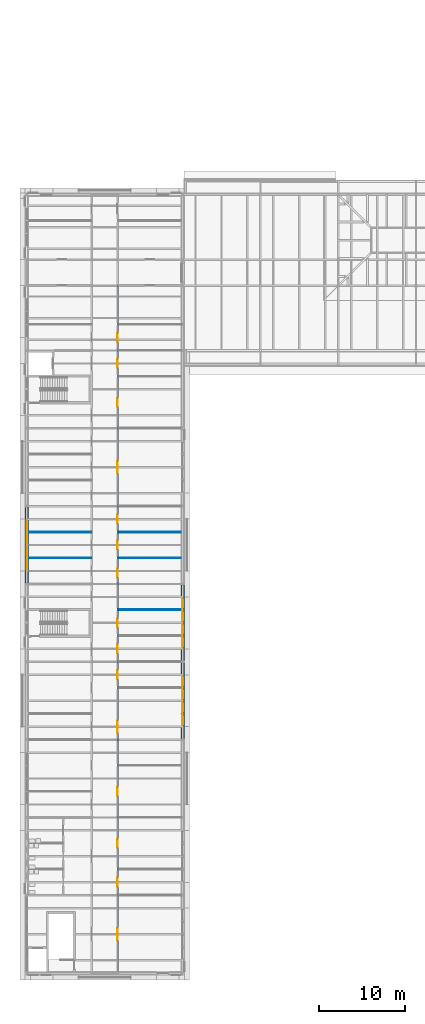
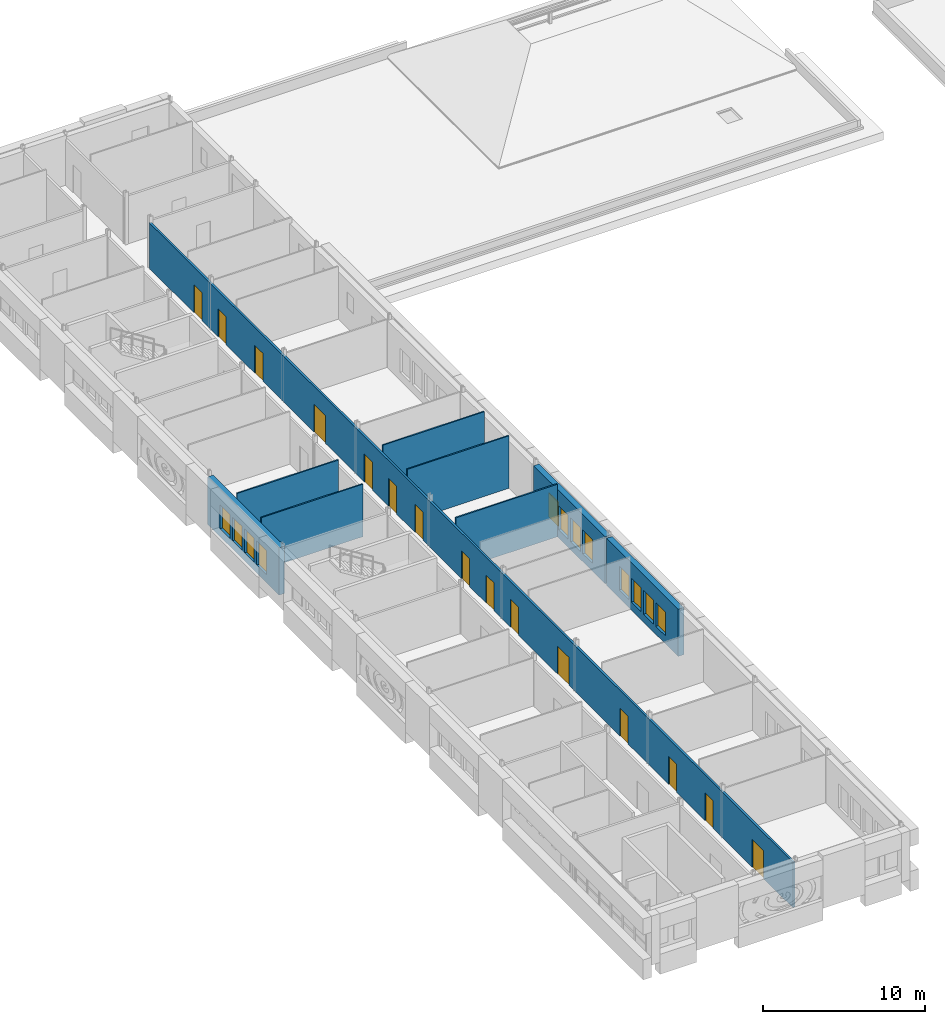
# One storey, part 27 of 42: 15 doors, 12 windows, 9 walls, 27 openings.
"""IFC4 building model written with IfcOpenShell, lengths in metres."""

from ifc_helpers import new_model, si_unit, direction, frame, frame_2d, origin, place, context, subcontext, project, spatial, rectangle, extrude, material, layer, layer_set, type_object, element, fill, save


model = new_model("IFC4")

# Units and contexts
model_context = context("Model", 3, precision=1e-05, world=origin(), true_north=direction((0.0, 1.0)))
body_context = subcontext(model_context, "Body", "Model", "MODEL_VIEW")
ifc_project = project(units=[si_unit("LENGTHUNIT", "METRE"), si_unit("AREAUNIT", "SQUARE_METRE"), si_unit("VOLUMEUNIT", "CUBIC_METRE"), si_unit("PLANEANGLEUNIT", "RADIAN"), si_unit("MASSUNIT", "GRAM", prefix="KILO")], contexts=[model_context])

# Site, building, storey
site_placement = place(None, origin())
site = spatial("IfcSite", under=ifc_project, at=site_placement, CompositionType="ELEMENT")
building_placement = place(site_placement, origin())
building = spatial("IfcBuilding", under=site, at=building_placement, Name="Golden Quay Civic Hall", CompositionType="ELEMENT")
storey_placement = place(building_placement, frame((0.0, 0.0, 22.800048828125)))
storey = spatial("IfcBuildingStorey", under=building, at=storey_placement, Name="L05", CompositionType="ELEMENT", Elevation=22.800048828125)

# Walls
ifc_material_1 = material(Name="Plasterboard on steel studs", Category="steel")
ifc_layer_1 = layer(ifc_material_1, 0.10009765625)
ifc_layer_set_1 = layer_set([ifc_layer_1], Name="Partition 100 stud")
wall_type_1 = type_object("IfcWallType", Name="Partition 100 stud", PredefinedType="PARTITIONING", material=ifc_layer_set_1)
for number, where, z_axis, x_axis, name in (
    (1, (0.199951171875, 39.0, 0.0), (0.0, 0.0, 1.0), (1.0, 0.0, 0.0), "Partition L05-006"),
    (2, (0.199951171875, 42.0, 0.0), (0.0, 0.0, 1.0), (1.0, 0.0, 0.0), "Partition L05-007"),
    (3, (10.574951171875, 33.0, 0.0), (0.0, 0.0, 1.0), (1.0, 0.0, 0.0), "Partition L05-018"),
    (4, (10.574951171875, 39.0, 0.0), (0.0, 0.0, 1.0), (1.0, 0.0, 0.0), "Partition L05-019"),
    (5, (10.574951171875, 42.0, 0.0), (0.0, 0.0, 1.0), (1.0, 0.0, 0.0), "Partition L05-020"),
):
    element("IfcWall", number, at=place(storey_placement, frame(where, z_axis=z_axis, x_axis=x_axis)), inside=storey, type_object=wall_type_1, Name=name, PredefinedType="PARTITIONING", context=body_context, shape_type="SweptSolid", body=[
        extrude(rectangle(XDim=7.22509765625, YDim=0.10009765625, at=frame_2d((3.612548828125, 0.0))), origin(), (0.0, 0.0, 1.0), 3.949951171875),
    ])

# Wall, openings, doors
ifc_material_2 = material(Name="Plasterboard on steel studs", Category="steel")
ifc_layer_2 = layer(ifc_material_2, 0.14990234375)
ifc_layer_set_2 = layer_set([ifc_layer_2], Name="Partition 150 stud fire EI 60")
wall_type_2 = type_object("IfcWallType", Name="Partition 150 stud fire EI 60", PredefinedType="PARTITIONING", material=ifc_layer_set_2)
wall_1_placement = place(storey_placement, frame((10.5, -8.800048828125, 0.0), z_axis=(0.0, 0.0, 1.0), x_axis=(0.0, 1.0, 0.0)))
wall_1 = element("IfcWall", 6, at=wall_1_placement, inside=storey, type_object=wall_type_2, Name="Partition L05-028", PredefinedType="PARTITIONING", context=body_context, shape_type="SweptSolid", body=[
    extrude(rectangle(XDim=79.300048828125, YDim=0.14990234375, at=frame_2d((39.64990234375, 0.0))), origin(), (0.0, 0.0, 1.0), 3.429931640625),
])
opening_1_placement = place(wall_1_placement, frame((3.60009765625, 0.0, 0.0)))
opening_1 = element("IfcOpeningElement", 7, at=opening_1_placement, cuts=wall_1, Name="Opening L05-D010", PredefinedType="OPENING", context=body_context, shape_type="SweptSolid", body=[
    extrude(rectangle(XDim=1.39990234375, YDim=2.10009765625, at=frame_2d((0.699951171875, 1.050048828125))), frame((0.0, 0.0849609375, 0.0), z_axis=(0.0, -1.0, 0.0), x_axis=(1.0, 0.0, 0.0)), (0.0, 0.0, 1.0), 0.169921875),
])
opening_2_placement = place(wall_1_placement, frame((9.800048828125, 0.0, 0.0)))
opening_2 = element("IfcOpeningElement", 8, at=opening_2_placement, cuts=wall_1, Name="Opening L05-D011", PredefinedType="OPENING", context=body_context, shape_type="SweptSolid", body=[
    extrude(rectangle(XDim=1.0, YDim=2.10009765625, at=frame_2d((0.5, 1.050048828125))), frame((0.0, 0.0849609375, 0.0), z_axis=(0.0, -1.0, 0.0), x_axis=(1.0, 0.0, 0.0)), (0.0, 0.0, 1.0), 0.169921875),
])
opening_3_placement = place(wall_1_placement, frame((14.300048828125, 0.0, 0.0)))
opening_3 = element("IfcOpeningElement", 9, at=opening_3_placement, cuts=wall_1, Name="Opening L05-D012", PredefinedType="OPENING", context=body_context, shape_type="SweptSolid", body=[
    extrude(rectangle(XDim=1.0, YDim=2.10009765625, at=frame_2d((0.5, 1.050048828125))), frame((0.0, 0.0849609375, 0.0), z_axis=(0.0, -1.0, 0.0), x_axis=(1.0, 0.0, 0.0)), (0.0, 0.0, 1.0), 0.169921875),
])
opening_4_placement = place(wall_1_placement, frame((20.300048828125, 0.0, 0.0)))
opening_4 = element("IfcOpeningElement", 10, at=opening_4_placement, cuts=wall_1, Name="Opening L05-D013", PredefinedType="OPENING", context=body_context, shape_type="SweptSolid", body=[
    extrude(rectangle(XDim=1.0, YDim=2.10009765625, at=frame_2d((0.5, 1.050048828125))), frame((0.0, 0.0849609375, 0.0), z_axis=(0.0, -1.0, 0.0), x_axis=(1.0, 0.0, 0.0)), (0.0, 0.0, 1.0), 0.169921875),
])
opening_5_placement = place(wall_1_placement, frame((27.60009765625, 0.0, 0.0)))
opening_5 = element("IfcOpeningElement", 11, at=opening_5_placement, cuts=wall_1, Name="Opening L05-D014", PredefinedType="OPENING", context=body_context, shape_type="SweptSolid", body=[
    extrude(rectangle(XDim=1.39990234375, YDim=2.10009765625, at=frame_2d((0.699951171875, 1.050048828125))), frame((0.0, 0.0849609375, 0.0), z_axis=(0.0, -1.0, 0.0), x_axis=(1.0, 0.0, 0.0)), (0.0, 0.0, 1.0), 0.169921875),
])
opening_6_placement = place(wall_1_placement, frame((33.800048828125, 0.0, 0.0)))
opening_6 = element("IfcOpeningElement", 12, at=opening_6_placement, cuts=wall_1, Name="Opening L05-D015", PredefinedType="OPENING", context=body_context, shape_type="SweptSolid", body=[
    extrude(rectangle(XDim=1.0, YDim=2.10009765625, at=frame_2d((0.5, 1.050048828125))), frame((0.0, 0.0849609375, 0.0), z_axis=(0.0, -1.0, 0.0), x_axis=(1.0, 0.0, 0.0)), (0.0, 0.0, 1.0), 0.169921875),
])
opening_7_placement = place(wall_1_placement, frame((36.800048828125, 0.0, 0.0)))
opening_7 = element("IfcOpeningElement", 13, at=opening_7_placement, cuts=wall_1, Name="Opening L05-D016", PredefinedType="OPENING", context=body_context, shape_type="SweptSolid", body=[
    extrude(rectangle(XDim=1.0, YDim=2.10009765625, at=frame_2d((0.5, 1.050048828125))), frame((0.0, 0.0849609375, 0.0), z_axis=(0.0, -1.0, 0.0), x_axis=(1.0, 0.0, 0.0)), (0.0, 0.0, 1.0), 0.169921875),
])
opening_8_placement = place(wall_1_placement, frame((39.800048828125, 0.0, 0.0)))
opening_8 = element("IfcOpeningElement", 14, at=opening_8_placement, cuts=wall_1, Name="Opening L05-D017", PredefinedType="OPENING", context=body_context, shape_type="SweptSolid", body=[
    extrude(rectangle(XDim=1.0, YDim=2.10009765625, at=frame_2d((0.5, 1.050048828125))), frame((0.0, 0.0849609375, 0.0), z_axis=(0.0, -1.0, 0.0), x_axis=(1.0, 0.0, 0.0)), (0.0, 0.0, 1.0), 0.169921875),
])
opening_9_placement = place(wall_1_placement, frame((45.550048828125, 0.0, 0.0)))
opening_9 = element("IfcOpeningElement", 15, at=opening_9_placement, cuts=wall_1, Name="Opening L05-D018", PredefinedType="OPENING", context=body_context, shape_type="SweptSolid", body=[
    extrude(rectangle(XDim=1.0, YDim=2.10009765625, at=frame_2d((0.5, 1.050048828125))), frame((0.0, 0.0849609375, 0.0), z_axis=(0.0, -1.0, 0.0), x_axis=(1.0, 0.0, 0.0)), (0.0, 0.0, 1.0), 0.169921875),
])
opening_10_placement = place(wall_1_placement, frame((48.800048828125, 0.0, 0.0)))
opening_10 = element("IfcOpeningElement", 16, at=opening_10_placement, cuts=wall_1, Name="Opening L05-D019", PredefinedType="OPENING", context=body_context, shape_type="SweptSolid", body=[
    extrude(rectangle(XDim=1.0, YDim=2.10009765625, at=frame_2d((0.5, 1.050048828125))), frame((0.0, 0.0849609375, 0.0), z_axis=(0.0, -1.0, 0.0), x_axis=(1.0, 0.0, 0.0)), (0.0, 0.0, 1.0), 0.169921875),
])
opening_11_placement = place(wall_1_placement, frame((51.800048828125, 0.0, 0.0)))
opening_11 = element("IfcOpeningElement", 17, at=opening_11_placement, cuts=wall_1, Name="Opening L05-D020", PredefinedType="OPENING", context=body_context, shape_type="SweptSolid", body=[
    extrude(rectangle(XDim=1.0, YDim=2.10009765625, at=frame_2d((0.5, 1.050048828125))), frame((0.0, 0.0849609375, 0.0), z_axis=(0.0, -1.0, 0.0), x_axis=(1.0, 0.0, 0.0)), (0.0, 0.0, 1.0), 0.169921875),
])
opening_12_placement = place(wall_1_placement, frame((57.60009765625, 0.0, 0.0)))
opening_12 = element("IfcOpeningElement", 18, at=opening_12_placement, cuts=wall_1, Name="Opening L05-D021", PredefinedType="OPENING", context=body_context, shape_type="SweptSolid", body=[
    extrude(rectangle(XDim=1.39990234375, YDim=2.10009765625, at=frame_2d((0.699951171875, 1.050048828125))), frame((0.0, 0.0849609375, 0.0), z_axis=(0.0, -1.0, 0.0), x_axis=(1.0, 0.0, 0.0)), (0.0, 0.0, 1.0), 0.169921875),
])
opening_13_placement = place(wall_1_placement, frame((65.300048828125, 0.0, 0.0)))
opening_13 = element("IfcOpeningElement", 19, at=opening_13_placement, cuts=wall_1, Name="Opening L05-D022", PredefinedType="OPENING", context=body_context, shape_type="SweptSolid", body=[
    extrude(rectangle(XDim=1.0, YDim=2.10009765625, at=frame_2d((0.5, 1.050048828125))), frame((0.0, 0.0849609375, 0.0), z_axis=(0.0, -1.0, 0.0), x_axis=(1.0, 0.0, 0.0)), (0.0, 0.0, 1.0), 0.169921875),
])
opening_14_placement = place(wall_1_placement, frame((69.800048828125, 0.0, 0.0)))
opening_14 = element("IfcOpeningElement", 20, at=opening_14_placement, cuts=wall_1, Name="Opening L05-D023", PredefinedType="OPENING", context=body_context, shape_type="SweptSolid", body=[
    extrude(rectangle(XDim=1.0, YDim=2.10009765625, at=frame_2d((0.5, 1.050048828125))), frame((0.0, 0.0849609375, 0.0), z_axis=(0.0, -1.0, 0.0), x_axis=(1.0, 0.0, 0.0)), (0.0, 0.0, 1.0), 0.169921875),
])
opening_15_placement = place(wall_1_placement, frame((72.800048828125, 0.0, 0.0)))
opening_15 = element("IfcOpeningElement", 21, at=opening_15_placement, cuts=wall_1, Name="Opening L05-D038", PredefinedType="OPENING", context=body_context, shape_type="SweptSolid", body=[
    extrude(rectangle(XDim=1.0, YDim=2.10009765625, at=frame_2d((0.5, 1.050048828125))), frame((0.0, 0.0849609375, 0.0), z_axis=(0.0, -1.0, 0.0), x_axis=(1.0, 0.0, 0.0)), (0.0, 0.0, 1.0), 0.169921875),
])
ifc_material_3 = material(Name="Steel", Category="steel")
door_type_1 = type_object("IfcDoorType", Name="Steel double fire door FD30S 1400 x 2100", OperationType="DOUBLE_DOOR_SINGLE_SWING", PredefinedType="DOOR", material=ifc_material_3)
door_1_placement = place(opening_1_placement, frame((1.39990234375, 0.0, 0.0), z_axis=(0.0, 0.0, 1.0), x_axis=(-1.0, 0.0, 0.0)))
door_1 = element("IfcDoor", 22, at=door_1_placement, inside=storey, type_object=door_type_1, Name="Door L05-D010", OperationType="DOUBLE_DOOR_SINGLE_SWING", OverallHeight=2.10009765625, OverallWidth=1.39990234375, PredefinedType="DOOR", context=body_context, shape_type="SweptSolid", body=[
    extrude(rectangle(XDim=1.39990234375, YDim=2.10009765625, at=frame_2d((0.699951171875, 1.050048828125))), frame((0.0, 0.025146484375, 0.0), z_axis=(0.0, -1.0, 0.0), x_axis=(1.0, 0.0, 0.0)), (0.0, 0.0, 1.0), 0.050048828125),
])
fill(opening_1, door_1)
door_2_placement = place(opening_5_placement, frame((1.39990234375, 0.0, 0.0), z_axis=(0.0, 0.0, 1.0), x_axis=(-1.0, 0.0, 0.0)))
door_2 = element("IfcDoor", 23, at=door_2_placement, inside=storey, type_object=door_type_1, Name="Door L05-D014", OperationType="DOUBLE_DOOR_SINGLE_SWING", OverallHeight=2.10009765625, OverallWidth=1.39990234375, PredefinedType="DOOR", context=body_context, shape_type="SweptSolid", body=[
    extrude(rectangle(XDim=1.39990234375, YDim=2.10009765625, at=frame_2d((0.699951171875, 1.050048828125))), frame((0.0, 0.025146484375, 0.0), z_axis=(0.0, -1.0, 0.0), x_axis=(1.0, 0.0, 0.0)), (0.0, 0.0, 1.0), 0.050048828125),
])
fill(opening_5, door_2)
door_3_placement = place(opening_12_placement, frame((1.39990234375, 0.0, 0.0), z_axis=(0.0, 0.0, 1.0), x_axis=(-1.0, 0.0, 0.0)))
door_3 = element("IfcDoor", 24, at=door_3_placement, inside=storey, type_object=door_type_1, Name="Door L05-D021", OperationType="DOUBLE_DOOR_SINGLE_SWING", OverallHeight=2.10009765625, OverallWidth=1.39990234375, PredefinedType="DOOR", context=body_context, shape_type="SweptSolid", body=[
    extrude(rectangle(XDim=1.39990234375, YDim=2.10009765625, at=frame_2d((0.699951171875, 1.050048828125))), frame((0.0, 0.025146484375, 0.0), z_axis=(0.0, -1.0, 0.0), x_axis=(1.0, 0.0, 0.0)), (0.0, 0.0, 1.0), 0.050048828125),
])
fill(opening_12, door_3)
ifc_material_4 = material(Name="Steel", Category="steel")
door_type_2 = type_object("IfcDoorType", Name="Steel fire door FD30S 1000 x 2100", OperationType="SINGLE_SWING_LEFT", PredefinedType="DOOR", material=ifc_material_4)
door_4_placement = place(opening_2_placement, frame((1.0, 0.0, 0.0), z_axis=(0.0, 0.0, 1.0), x_axis=(-1.0, 0.0, 0.0)))
door_4 = element("IfcDoor", 25, at=door_4_placement, inside=storey, type_object=door_type_2, Name="Door L05-D011", OperationType="SINGLE_SWING_RIGHT", OverallHeight=2.10009765625, OverallWidth=1.0, PredefinedType="DOOR", context=body_context, shape_type="SweptSolid", body=[
    extrude(rectangle(XDim=1.0, YDim=2.10009765625, at=frame_2d((0.5, 1.050048828125))), frame((0.0, 0.025146484375, 0.0), z_axis=(0.0, -1.0, 0.0), x_axis=(1.0, 0.0, 0.0)), (0.0, 0.0, 1.0), 0.050048828125),
])
fill(opening_2, door_4)
door_5_placement = place(opening_3_placement, frame((1.0, 0.0, 0.0), z_axis=(0.0, 0.0, 1.0), x_axis=(-1.0, 0.0, 0.0)))
door_5 = element("IfcDoor", 26, at=door_5_placement, inside=storey, type_object=door_type_2, Name="Door L05-D012", OperationType="SINGLE_SWING_RIGHT", OverallHeight=2.10009765625, OverallWidth=1.0, PredefinedType="DOOR", context=body_context, shape_type="SweptSolid", body=[
    extrude(rectangle(XDim=1.0, YDim=2.10009765625, at=frame_2d((0.5, 1.050048828125))), frame((0.0, 0.025146484375, 0.0), z_axis=(0.0, -1.0, 0.0), x_axis=(1.0, 0.0, 0.0)), (0.0, 0.0, 1.0), 0.050048828125),
])
fill(opening_3, door_5)
door_6_placement = place(opening_4_placement, frame((1.0, 0.0, 0.0), z_axis=(0.0, 0.0, 1.0), x_axis=(-1.0, 0.0, 0.0)))
door_6 = element("IfcDoor", 27, at=door_6_placement, inside=storey, type_object=door_type_2, Name="Door L05-D013", OperationType="SINGLE_SWING_RIGHT", OverallHeight=2.10009765625, OverallWidth=1.0, PredefinedType="DOOR", context=body_context, shape_type="SweptSolid", body=[
    extrude(rectangle(XDim=1.0, YDim=2.10009765625, at=frame_2d((0.5, 1.050048828125))), frame((0.0, 0.025146484375, 0.0), z_axis=(0.0, -1.0, 0.0), x_axis=(1.0, 0.0, 0.0)), (0.0, 0.0, 1.0), 0.050048828125),
])
fill(opening_4, door_6)
door_7_placement = place(opening_6_placement, frame((1.0, 0.0, 0.0), z_axis=(0.0, 0.0, 1.0), x_axis=(-1.0, 0.0, 0.0)))
door_7 = element("IfcDoor", 28, at=door_7_placement, inside=storey, type_object=door_type_2, Name="Door L05-D015", OperationType="SINGLE_SWING_RIGHT", OverallHeight=2.10009765625, OverallWidth=1.0, PredefinedType="DOOR", context=body_context, shape_type="SweptSolid", body=[
    extrude(rectangle(XDim=1.0, YDim=2.10009765625, at=frame_2d((0.5, 1.050048828125))), frame((0.0, 0.025146484375, 0.0), z_axis=(0.0, -1.0, 0.0), x_axis=(1.0, 0.0, 0.0)), (0.0, 0.0, 1.0), 0.050048828125),
])
fill(opening_6, door_7)
door_8_placement = place(opening_7_placement, frame((1.0, 0.0, 0.0), z_axis=(0.0, 0.0, 1.0), x_axis=(-1.0, 0.0, 0.0)))
door_8 = element("IfcDoor", 29, at=door_8_placement, inside=storey, type_object=door_type_2, Name="Door L05-D016", OperationType="SINGLE_SWING_RIGHT", OverallHeight=2.10009765625, OverallWidth=1.0, PredefinedType="DOOR", context=body_context, shape_type="SweptSolid", body=[
    extrude(rectangle(XDim=1.0, YDim=2.10009765625, at=frame_2d((0.5, 1.050048828125))), frame((0.0, 0.025146484375, 0.0), z_axis=(0.0, -1.0, 0.0), x_axis=(1.0, 0.0, 0.0)), (0.0, 0.0, 1.0), 0.050048828125),
])
fill(opening_7, door_8)
door_9_placement = place(opening_8_placement, frame((1.0, 0.0, 0.0), z_axis=(0.0, 0.0, 1.0), x_axis=(-1.0, 0.0, 0.0)))
door_9 = element("IfcDoor", 30, at=door_9_placement, inside=storey, type_object=door_type_2, Name="Door L05-D017", OperationType="SINGLE_SWING_RIGHT", OverallHeight=2.10009765625, OverallWidth=1.0, PredefinedType="DOOR", context=body_context, shape_type="SweptSolid", body=[
    extrude(rectangle(XDim=1.0, YDim=2.10009765625, at=frame_2d((0.5, 1.050048828125))), frame((0.0, 0.025146484375, 0.0), z_axis=(0.0, -1.0, 0.0), x_axis=(1.0, 0.0, 0.0)), (0.0, 0.0, 1.0), 0.050048828125),
])
fill(opening_8, door_9)
door_10_placement = place(opening_9_placement, frame((1.0, 0.0, 0.0), z_axis=(0.0, 0.0, 1.0), x_axis=(-1.0, 0.0, 0.0)))
door_10 = element("IfcDoor", 31, at=door_10_placement, inside=storey, type_object=door_type_2, Name="Door L05-D018", OperationType="SINGLE_SWING_RIGHT", OverallHeight=2.10009765625, OverallWidth=1.0, PredefinedType="DOOR", context=body_context, shape_type="SweptSolid", body=[
    extrude(rectangle(XDim=1.0, YDim=2.10009765625, at=frame_2d((0.5, 1.050048828125))), frame((0.0, 0.025146484375, 0.0), z_axis=(0.0, -1.0, 0.0), x_axis=(1.0, 0.0, 0.0)), (0.0, 0.0, 1.0), 0.050048828125),
])
fill(opening_9, door_10)
door_11_placement = place(opening_10_placement, frame((1.0, 0.0, 0.0), z_axis=(0.0, 0.0, 1.0), x_axis=(-1.0, 0.0, 0.0)))
door_11 = element("IfcDoor", 32, at=door_11_placement, inside=storey, type_object=door_type_2, Name="Door L05-D019", OperationType="SINGLE_SWING_RIGHT", OverallHeight=2.10009765625, OverallWidth=1.0, PredefinedType="DOOR", context=body_context, shape_type="SweptSolid", body=[
    extrude(rectangle(XDim=1.0, YDim=2.10009765625, at=frame_2d((0.5, 1.050048828125))), frame((0.0, 0.025146484375, 0.0), z_axis=(0.0, -1.0, 0.0), x_axis=(1.0, 0.0, 0.0)), (0.0, 0.0, 1.0), 0.050048828125),
])
fill(opening_10, door_11)
door_12_placement = place(opening_11_placement, frame((1.0, 0.0, 0.0), z_axis=(0.0, 0.0, 1.0), x_axis=(-1.0, 0.0, 0.0)))
door_12 = element("IfcDoor", 33, at=door_12_placement, inside=storey, type_object=door_type_2, Name="Door L05-D020", OperationType="SINGLE_SWING_RIGHT", OverallHeight=2.10009765625, OverallWidth=1.0, PredefinedType="DOOR", context=body_context, shape_type="SweptSolid", body=[
    extrude(rectangle(XDim=1.0, YDim=2.10009765625, at=frame_2d((0.5, 1.050048828125))), frame((0.0, 0.025146484375, 0.0), z_axis=(0.0, -1.0, 0.0), x_axis=(1.0, 0.0, 0.0)), (0.0, 0.0, 1.0), 0.050048828125),
])
fill(opening_11, door_12)
door_13_placement = place(opening_13_placement, frame((1.0, 0.0, 0.0), z_axis=(0.0, 0.0, 1.0), x_axis=(-1.0, 0.0, 0.0)))
door_13 = element("IfcDoor", 34, at=door_13_placement, inside=storey, type_object=door_type_2, Name="Door L05-D022", OperationType="SINGLE_SWING_RIGHT", OverallHeight=2.10009765625, OverallWidth=1.0, PredefinedType="DOOR", context=body_context, shape_type="SweptSolid", body=[
    extrude(rectangle(XDim=1.0, YDim=2.10009765625, at=frame_2d((0.5, 1.050048828125))), frame((0.0, 0.025146484375, 0.0), z_axis=(0.0, -1.0, 0.0), x_axis=(1.0, 0.0, 0.0)), (0.0, 0.0, 1.0), 0.050048828125),
])
fill(opening_13, door_13)
door_14_placement = place(opening_14_placement, frame((1.0, 0.0, 0.0), z_axis=(0.0, 0.0, 1.0), x_axis=(-1.0, 0.0, 0.0)))
door_14 = element("IfcDoor", 35, at=door_14_placement, inside=storey, type_object=door_type_2, Name="Door L05-D023", OperationType="SINGLE_SWING_RIGHT", OverallHeight=2.10009765625, OverallWidth=1.0, PredefinedType="DOOR", context=body_context, shape_type="SweptSolid", body=[
    extrude(rectangle(XDim=1.0, YDim=2.10009765625, at=frame_2d((0.5, 1.050048828125))), frame((0.0, 0.025146484375, 0.0), z_axis=(0.0, -1.0, 0.0), x_axis=(1.0, 0.0, 0.0)), (0.0, 0.0, 1.0), 0.050048828125),
])
fill(opening_14, door_14)
door_15_placement = place(opening_15_placement, frame((1.0, 0.0, 0.0), z_axis=(0.0, 0.0, 1.0), x_axis=(-1.0, 0.0, 0.0)))
door_15 = element("IfcDoor", 36, at=door_15_placement, inside=storey, type_object=door_type_2, Name="Door L05-D038", OperationType="SINGLE_SWING_RIGHT", OverallHeight=2.10009765625, OverallWidth=1.0, PredefinedType="DOOR", context=body_context, shape_type="SweptSolid", body=[
    extrude(rectangle(XDim=1.0, YDim=2.10009765625, at=frame_2d((0.5, 1.050048828125))), frame((0.0, 0.025146484375, 0.0), z_axis=(0.0, -1.0, 0.0), x_axis=(1.0, 0.0, 0.0)), (0.0, 0.0, 1.0), 0.050048828125),
])
fill(opening_15, door_15)

# Wall, openings, windows
ifc_material_5 = material(Name="Clay block, rendered, cream")
ifc_layer_3 = layer(ifc_material_5, 0.39990234375)
ifc_layer_set_3 = layer_set([ifc_layer_3], Name="Rendered block external wall 400")
wall_type_3 = type_object("IfcWallType", Name="Rendered block external wall 400", PredefinedType="STANDARD", material=ifc_layer_set_3)
wall_2_placement = place(storey_placement, frame((0.0, 36.094970703125, 0.0), z_axis=(0.0, 0.0, 1.0), x_axis=(0.0, 1.0, 0.0)))
wall_2 = element("IfcWall", 37, at=wall_2_placement, inside=storey, type_object=wall_type_3, Name="Rendered block external wall 400 L05 4", PredefinedType="STANDARD", context=body_context, shape_type="SweptSolid", body=[
    extrude(rectangle(XDim=8.81005859375, YDim=0.39990234375, at=frame_2d((4.405029296875, 0.0))), origin(), (0.0, 0.0, 1.0), 3.550048828125),
])
opening_16_placement = place(wall_2_placement, frame((1.554931640625, 0.0, 0.60009765625)))
opening_16 = element("IfcOpeningElement", 38, at=opening_16_placement, cuts=wall_2, Name="Opening WN10", PredefinedType="OPENING", context=body_context, shape_type="SweptSolid", body=[
    extrude(rectangle(XDim=1.199951171875, YDim=1.800048828125, at=frame_2d((0.60009765625, 0.89990234375))), frame((0.0, 0.2099609375, 0.0), z_axis=(0.0, -1.0, 0.0), x_axis=(1.0, 0.0, 0.0)), (0.0, 0.0, 1.0), 0.419921875),
])
opening_17_placement = place(wall_2_placement, frame((3.054931640625, 0.0, 0.60009765625)))
opening_17 = element("IfcOpeningElement", 39, at=opening_17_placement, cuts=wall_2, Name="Opening WN10", PredefinedType="OPENING", context=body_context, shape_type="SweptSolid", body=[
    extrude(rectangle(XDim=1.199951171875, YDim=1.800048828125, at=frame_2d((0.60009765625, 0.89990234375))), frame((0.0, 0.2099609375, 0.0), z_axis=(0.0, -1.0, 0.0), x_axis=(1.0, 0.0, 0.0)), (0.0, 0.0, 1.0), 0.419921875),
])
opening_18_placement = place(wall_2_placement, frame((4.554931640625, 0.0, 0.60009765625)))
opening_18 = element("IfcOpeningElement", 40, at=opening_18_placement, cuts=wall_2, Name="Opening WN10", PredefinedType="OPENING", context=body_context, shape_type="SweptSolid", body=[
    extrude(rectangle(XDim=1.199951171875, YDim=1.800048828125, at=frame_2d((0.60009765625, 0.89990234375))), frame((0.0, 0.2099609375, 0.0), z_axis=(0.0, -1.0, 0.0), x_axis=(1.0, 0.0, 0.0)), (0.0, 0.0, 1.0), 0.419921875),
])
opening_19_placement = place(wall_2_placement, frame((6.054931640625, 0.0, 0.60009765625)))
opening_19 = element("IfcOpeningElement", 41, at=opening_19_placement, cuts=wall_2, Name="Opening WN10", PredefinedType="OPENING", context=body_context, shape_type="SweptSolid", body=[
    extrude(rectangle(XDim=1.199951171875, YDim=1.800048828125, at=frame_2d((0.60009765625, 0.89990234375))), frame((0.0, 0.2099609375, 0.0), z_axis=(0.0, -1.0, 0.0), x_axis=(1.0, 0.0, 0.0)), (0.0, 0.0, 1.0), 0.419921875),
])
ifc_material_6 = material(Name="Aluminium frame, double glazed", Category="aluminium")
window_type = type_object("IfcWindowType", Name="Golden grid window 1200 x 1800", PartitioningType="SINGLE_PANEL", PredefinedType="WINDOW", material=ifc_material_6)
window_1_placement = place(opening_16_placement, origin())
window_1 = element("IfcWindow", 42, at=window_1_placement, inside=storey, type_object=window_type, Name="Golden grid window 1200 x 1800 L05 5", OverallHeight=1.800048828125, OverallWidth=1.199951171875, PartitioningType="SINGLE_PANEL", PredefinedType="WINDOW", context=body_context, shape_type="SweptSolid", body=[
    extrude(rectangle(XDim=1.199951171875, YDim=1.800048828125, at=frame_2d((0.60009765625, 0.89990234375))), frame((0.0, 0.030029296875, 0.0), z_axis=(0.0, -1.0, 0.0), x_axis=(1.0, 0.0, 0.0)), (0.0, 0.0, 1.0), 0.06005859375),
])
fill(opening_16, window_1)
window_2_placement = place(opening_17_placement, origin())
window_2 = element("IfcWindow", 43, at=window_2_placement, inside=storey, type_object=window_type, Name="Golden grid window 1200 x 1800 L05 6", OverallHeight=1.800048828125, OverallWidth=1.199951171875, PartitioningType="SINGLE_PANEL", PredefinedType="WINDOW", context=body_context, shape_type="SweptSolid", body=[
    extrude(rectangle(XDim=1.199951171875, YDim=1.800048828125, at=frame_2d((0.60009765625, 0.89990234375))), frame((0.0, 0.030029296875, 0.0), z_axis=(0.0, -1.0, 0.0), x_axis=(1.0, 0.0, 0.0)), (0.0, 0.0, 1.0), 0.06005859375),
])
fill(opening_17, window_2)
window_3_placement = place(opening_18_placement, origin())
window_3 = element("IfcWindow", 44, at=window_3_placement, inside=storey, type_object=window_type, Name="Golden grid window 1200 x 1800 L05 7", OverallHeight=1.800048828125, OverallWidth=1.199951171875, PartitioningType="SINGLE_PANEL", PredefinedType="WINDOW", context=body_context, shape_type="SweptSolid", body=[
    extrude(rectangle(XDim=1.199951171875, YDim=1.800048828125, at=frame_2d((0.60009765625, 0.89990234375))), frame((0.0, 0.030029296875, 0.0), z_axis=(0.0, -1.0, 0.0), x_axis=(1.0, 0.0, 0.0)), (0.0, 0.0, 1.0), 0.06005859375),
])
fill(opening_18, window_3)
window_4_placement = place(opening_19_placement, origin())
window_4 = element("IfcWindow", 45, at=window_4_placement, inside=storey, type_object=window_type, Name="Golden grid window 1200 x 1800 L05 8", OverallHeight=1.800048828125, OverallWidth=1.199951171875, PartitioningType="SINGLE_PANEL", PredefinedType="WINDOW", context=body_context, shape_type="SweptSolid", body=[
    extrude(rectangle(XDim=1.199951171875, YDim=1.800048828125, at=frame_2d((0.60009765625, 0.89990234375))), frame((0.0, 0.030029296875, 0.0), z_axis=(0.0, -1.0, 0.0), x_axis=(1.0, 0.0, 0.0)), (0.0, 0.0, 1.0), 0.06005859375),
])
fill(opening_19, window_4)

wall_3_placement = place(storey_placement, frame((18.0, 26.905029296875, 0.0), z_axis=(0.0, 0.0, 1.0), x_axis=(0.0, -1.0, 0.0)))
wall_3 = element("IfcWall", 46, at=wall_3_placement, inside=storey, type_object=wall_type_3, Name="Rendered block external wall 400 L05 15", PredefinedType="STANDARD", context=body_context, shape_type="SweptSolid", body=[
    extrude(rectangle(XDim=8.81005859375, YDim=0.39990234375, at=frame_2d((4.405029296875, 0.0))), origin(), (0.0, 0.0, 1.0), 3.550048828125),
])
opening_20_placement = place(wall_3_placement, frame((6.054931640625, 0.0, 0.60009765625)))
opening_20 = element("IfcOpeningElement", 47, at=opening_20_placement, cuts=wall_3, Name="Opening WN10", PredefinedType="OPENING", context=body_context, shape_type="SweptSolid", body=[
    extrude(rectangle(XDim=1.199951171875, YDim=1.800048828125, at=frame_2d((0.60009765625, 0.89990234375))), frame((0.0, 0.2099609375, 0.0), z_axis=(0.0, -1.0, 0.0), x_axis=(1.0, 0.0, 0.0)), (0.0, 0.0, 1.0), 0.419921875),
])
opening_21_placement = place(wall_3_placement, frame((4.554931640625, 0.0, 0.60009765625)))
opening_21 = element("IfcOpeningElement", 48, at=opening_21_placement, cuts=wall_3, Name="Opening WN10", PredefinedType="OPENING", context=body_context, shape_type="SweptSolid", body=[
    extrude(rectangle(XDim=1.199951171875, YDim=1.800048828125, at=frame_2d((0.60009765625, 0.89990234375))), frame((0.0, 0.2099609375, 0.0), z_axis=(0.0, -1.0, 0.0), x_axis=(1.0, 0.0, 0.0)), (0.0, 0.0, 1.0), 0.419921875),
])
opening_22_placement = place(wall_3_placement, frame((3.054931640625, 0.0, 0.60009765625)))
opening_22 = element("IfcOpeningElement", 49, at=opening_22_placement, cuts=wall_3, Name="Opening WN10", PredefinedType="OPENING", context=body_context, shape_type="SweptSolid", body=[
    extrude(rectangle(XDim=1.199951171875, YDim=1.800048828125, at=frame_2d((0.60009765625, 0.89990234375))), frame((0.0, 0.2099609375, 0.0), z_axis=(0.0, -1.0, 0.0), x_axis=(1.0, 0.0, 0.0)), (0.0, 0.0, 1.0), 0.419921875),
])
opening_23_placement = place(wall_3_placement, frame((1.554931640625, 0.0, 0.60009765625)))
opening_23 = element("IfcOpeningElement", 50, at=opening_23_placement, cuts=wall_3, Name="Opening WN10", PredefinedType="OPENING", context=body_context, shape_type="SweptSolid", body=[
    extrude(rectangle(XDim=1.199951171875, YDim=1.800048828125, at=frame_2d((0.60009765625, 0.89990234375))), frame((0.0, 0.2099609375, 0.0), z_axis=(0.0, -1.0, 0.0), x_axis=(1.0, 0.0, 0.0)), (0.0, 0.0, 1.0), 0.419921875),
])
window_5_placement = place(opening_20_placement, origin())
window_5 = element("IfcWindow", 51, at=window_5_placement, inside=storey, type_object=window_type, Name="Golden grid window 1200 x 1800 L05 25", OverallHeight=1.800048828125, OverallWidth=1.199951171875, PartitioningType="SINGLE_PANEL", PredefinedType="WINDOW", context=body_context, shape_type="SweptSolid", body=[
    extrude(rectangle(XDim=1.199951171875, YDim=1.800048828125, at=frame_2d((0.60009765625, 0.89990234375))), frame((0.0, 0.030029296875, 0.0), z_axis=(0.0, -1.0, 0.0), x_axis=(1.0, 0.0, 0.0)), (0.0, 0.0, 1.0), 0.06005859375),
])
fill(opening_20, window_5)
window_6_placement = place(opening_21_placement, origin())
window_6 = element("IfcWindow", 52, at=window_6_placement, inside=storey, type_object=window_type, Name="Golden grid window 1200 x 1800 L05 26", OverallHeight=1.800048828125, OverallWidth=1.199951171875, PartitioningType="SINGLE_PANEL", PredefinedType="WINDOW", context=body_context, shape_type="SweptSolid", body=[
    extrude(rectangle(XDim=1.199951171875, YDim=1.800048828125, at=frame_2d((0.60009765625, 0.89990234375))), frame((0.0, 0.030029296875, 0.0), z_axis=(0.0, -1.0, 0.0), x_axis=(1.0, 0.0, 0.0)), (0.0, 0.0, 1.0), 0.06005859375),
])
fill(opening_21, window_6)
window_7_placement = place(opening_22_placement, origin())
window_7 = element("IfcWindow", 53, at=window_7_placement, inside=storey, type_object=window_type, Name="Golden grid window 1200 x 1800 L05 27", OverallHeight=1.800048828125, OverallWidth=1.199951171875, PartitioningType="SINGLE_PANEL", PredefinedType="WINDOW", context=body_context, shape_type="SweptSolid", body=[
    extrude(rectangle(XDim=1.199951171875, YDim=1.800048828125, at=frame_2d((0.60009765625, 0.89990234375))), frame((0.0, 0.030029296875, 0.0), z_axis=(0.0, -1.0, 0.0), x_axis=(1.0, 0.0, 0.0)), (0.0, 0.0, 1.0), 0.06005859375),
])
fill(opening_22, window_7)
window_8_placement = place(opening_23_placement, origin())
window_8 = element("IfcWindow", 54, at=window_8_placement, inside=storey, type_object=window_type, Name="Golden grid window 1200 x 1800 L05 28", OverallHeight=1.800048828125, OverallWidth=1.199951171875, PartitioningType="SINGLE_PANEL", PredefinedType="WINDOW", context=body_context, shape_type="SweptSolid", body=[
    extrude(rectangle(XDim=1.199951171875, YDim=1.800048828125, at=frame_2d((0.60009765625, 0.89990234375))), frame((0.0, 0.030029296875, 0.0), z_axis=(0.0, -1.0, 0.0), x_axis=(1.0, 0.0, 0.0)), (0.0, 0.0, 1.0), 0.06005859375),
])
fill(opening_23, window_8)

wall_4_placement = place(storey_placement, frame((18.0, 35.905029296875, 0.0), z_axis=(0.0, 0.0, 1.0), x_axis=(0.0, -1.0, 0.0)))
wall_4 = element("IfcWall", 55, at=wall_4_placement, inside=storey, type_object=wall_type_3, Name="Rendered block external wall 400 L05 16", PredefinedType="STANDARD", context=body_context, shape_type="SweptSolid", body=[
    extrude(rectangle(XDim=8.81005859375, YDim=0.39990234375, at=frame_2d((4.405029296875, 0.0))), origin(), (0.0, 0.0, 1.0), 3.550048828125),
])
opening_24_placement = place(wall_4_placement, frame((6.054931640625, 0.0, 0.60009765625)))
opening_24 = element("IfcOpeningElement", 56, at=opening_24_placement, cuts=wall_4, Name="Opening WN10", PredefinedType="OPENING", context=body_context, shape_type="SweptSolid", body=[
    extrude(rectangle(XDim=1.199951171875, YDim=1.800048828125, at=frame_2d((0.60009765625, 0.89990234375))), frame((0.0, 0.2099609375, 0.0), z_axis=(0.0, -1.0, 0.0), x_axis=(1.0, 0.0, 0.0)), (0.0, 0.0, 1.0), 0.419921875),
])
opening_25_placement = place(wall_4_placement, frame((4.554931640625, 0.0, 0.60009765625)))
opening_25 = element("IfcOpeningElement", 57, at=opening_25_placement, cuts=wall_4, Name="Opening WN10", PredefinedType="OPENING", context=body_context, shape_type="SweptSolid", body=[
    extrude(rectangle(XDim=1.199951171875, YDim=1.800048828125, at=frame_2d((0.60009765625, 0.89990234375))), frame((0.0, 0.2099609375, 0.0), z_axis=(0.0, -1.0, 0.0), x_axis=(1.0, 0.0, 0.0)), (0.0, 0.0, 1.0), 0.419921875),
])
opening_26_placement = place(wall_4_placement, frame((3.054931640625, 0.0, 0.60009765625)))
opening_26 = element("IfcOpeningElement", 58, at=opening_26_placement, cuts=wall_4, Name="Opening WN10", PredefinedType="OPENING", context=body_context, shape_type="SweptSolid", body=[
    extrude(rectangle(XDim=1.199951171875, YDim=1.800048828125, at=frame_2d((0.60009765625, 0.89990234375))), frame((0.0, 0.2099609375, 0.0), z_axis=(0.0, -1.0, 0.0), x_axis=(1.0, 0.0, 0.0)), (0.0, 0.0, 1.0), 0.419921875),
])
opening_27_placement = place(wall_4_placement, frame((1.554931640625, 0.0, 0.60009765625)))
opening_27 = element("IfcOpeningElement", 59, at=opening_27_placement, cuts=wall_4, Name="Opening WN10", PredefinedType="OPENING", context=body_context, shape_type="SweptSolid", body=[
    extrude(rectangle(XDim=1.199951171875, YDim=1.800048828125, at=frame_2d((0.60009765625, 0.89990234375))), frame((0.0, 0.2099609375, 0.0), z_axis=(0.0, -1.0, 0.0), x_axis=(1.0, 0.0, 0.0)), (0.0, 0.0, 1.0), 0.419921875),
])
window_9_placement = place(opening_24_placement, origin())
window_9 = element("IfcWindow", 60, at=window_9_placement, inside=storey, type_object=window_type, Name="Golden grid window 1200 x 1800 L05 29", OverallHeight=1.800048828125, OverallWidth=1.199951171875, PartitioningType="SINGLE_PANEL", PredefinedType="WINDOW", context=body_context, shape_type="SweptSolid", body=[
    extrude(rectangle(XDim=1.199951171875, YDim=1.800048828125, at=frame_2d((0.60009765625, 0.89990234375))), frame((0.0, 0.030029296875, 0.0), z_axis=(0.0, -1.0, 0.0), x_axis=(1.0, 0.0, 0.0)), (0.0, 0.0, 1.0), 0.06005859375),
])
fill(opening_24, window_9)
window_10_placement = place(opening_25_placement, origin())
window_10 = element("IfcWindow", 61, at=window_10_placement, inside=storey, type_object=window_type, Name="Golden grid window 1200 x 1800 L05 30", OverallHeight=1.800048828125, OverallWidth=1.199951171875, PartitioningType="SINGLE_PANEL", PredefinedType="WINDOW", context=body_context, shape_type="SweptSolid", body=[
    extrude(rectangle(XDim=1.199951171875, YDim=1.800048828125, at=frame_2d((0.60009765625, 0.89990234375))), frame((0.0, 0.030029296875, 0.0), z_axis=(0.0, -1.0, 0.0), x_axis=(1.0, 0.0, 0.0)), (0.0, 0.0, 1.0), 0.06005859375),
])
fill(opening_25, window_10)
window_11_placement = place(opening_26_placement, origin())
window_11 = element("IfcWindow", 62, at=window_11_placement, inside=storey, type_object=window_type, Name="Golden grid window 1200 x 1800 L05 31", OverallHeight=1.800048828125, OverallWidth=1.199951171875, PartitioningType="SINGLE_PANEL", PredefinedType="WINDOW", context=body_context, shape_type="SweptSolid", body=[
    extrude(rectangle(XDim=1.199951171875, YDim=1.800048828125, at=frame_2d((0.60009765625, 0.89990234375))), frame((0.0, 0.030029296875, 0.0), z_axis=(0.0, -1.0, 0.0), x_axis=(1.0, 0.0, 0.0)), (0.0, 0.0, 1.0), 0.06005859375),
])
fill(opening_26, window_11)
window_12_placement = place(opening_27_placement, origin())
window_12 = element("IfcWindow", 63, at=window_12_placement, inside=storey, type_object=window_type, Name="Golden grid window 1200 x 1800 L05 32", OverallHeight=1.800048828125, OverallWidth=1.199951171875, PartitioningType="SINGLE_PANEL", PredefinedType="WINDOW", context=body_context, shape_type="SweptSolid", body=[
    extrude(rectangle(XDim=1.199951171875, YDim=1.800048828125, at=frame_2d((0.60009765625, 0.89990234375))), frame((0.0, 0.030029296875, 0.0), z_axis=(0.0, -1.0, 0.0), x_axis=(1.0, 0.0, 0.0)), (0.0, 0.0, 1.0), 0.06005859375),
])
fill(opening_27, window_12)

save(model, "model.ifc")
